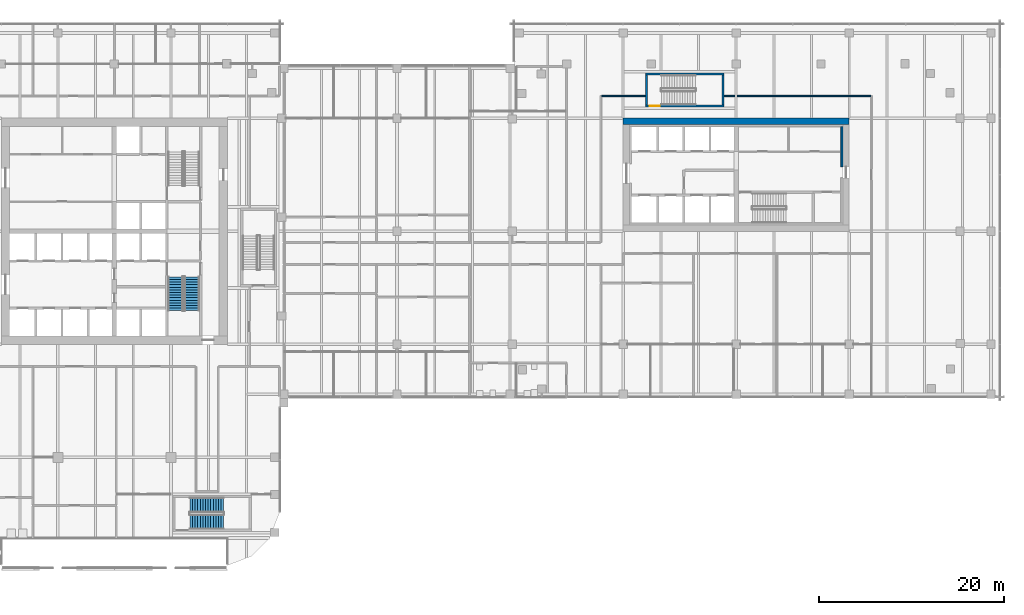
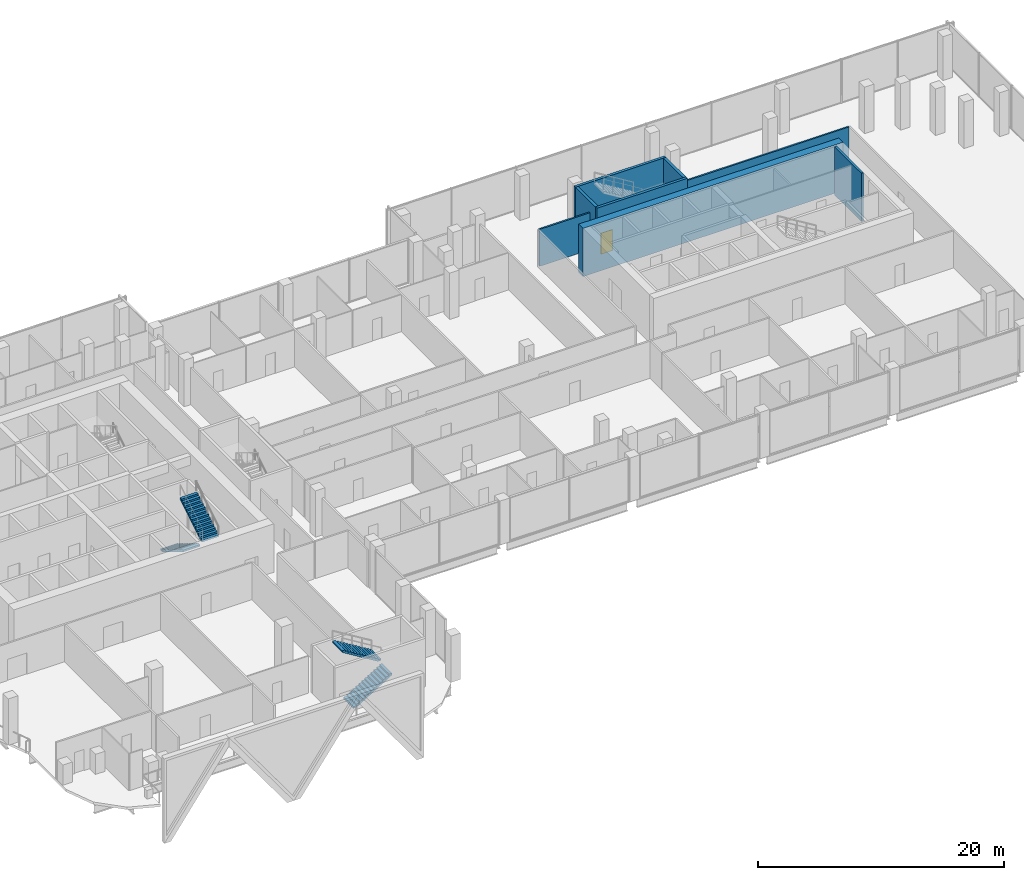
# One storey, part 29 of 33: 8 walls, 4 stair flights, 1 door, 1 opening, 2 elements without a shape of their own.
"""IFC4 building model written with IfcOpenShell, lengths in metres."""

from ifc_helpers import new_model, si_unit, direction, frame, frame_2d, origin, place, context, subcontext, project, spatial, polyline, rectangle, outline, extrude, source, transform, mapped, material, layer, layer_set, type_object, element, fill, aggregate, save


model = new_model("IFC4")

# Units and contexts
model_context = context("Model", 3, precision=1e-05, world=origin(), true_north=direction((0.0, 1.0)))
body_context = subcontext(model_context, "Body", "Model", "MODEL_VIEW")
ifc_project = project(units=[si_unit("LENGTHUNIT", "METRE"), si_unit("AREAUNIT", "SQUARE_METRE"), si_unit("VOLUMEUNIT", "CUBIC_METRE"), si_unit("PLANEANGLEUNIT", "RADIAN"), si_unit("MASSUNIT", "GRAM", prefix="KILO")], contexts=[model_context])

# Site, building, storey
site_placement = place(None, origin())
site = spatial("IfcSite", under=ifc_project, at=site_placement, CompositionType="ELEMENT")
building_placement = place(site_placement, origin())
building = spatial("IfcBuilding", under=site, at=building_placement, Name="Tessera Gate Towers", CompositionType="ELEMENT")
storey_placement = place(building_placement, frame((0.0, 0.0, 12.0)))
storey = spatial("IfcBuildingStorey", under=building, at=storey_placement, Name="L02", CompositionType="ELEMENT", Elevation=12.0)

# Wall, opening, door
ifc_material_1 = material(Name="Concrete C40/50", Category="concrete")
ifc_layer_1 = layer(ifc_material_1, 0.25)
ifc_layer_set_1 = layer_set([ifc_layer_1], Name="CORE ENCLOSURE WALL 250")
wall_type_1 = type_object("IfcWallType", Name="CORE ENCLOSURE WALL 250", PredefinedType="SOLIDWALL", material=ifc_layer_set_1)
wall_1_placement = place(storey_placement, frame((108.5, 50.125, 0.0), z_axis=(0.0, 0.0, 1.0), x_axis=(-1.0, 0.0, 0.0)))
wall_1 = element("IfcWall", 1, at=wall_1_placement, inside=storey, type_object=wall_type_1, Name="L02 ST7 enclosure wall", PredefinedType="SOLIDWALL", context=body_context, shape_type="SweptSolid", body=[
    extrude(rectangle(XDim=8.5, YDim=0.25, at=frame_2d((4.25, 0.0))), origin(), (0.0, 0.0, 1.0), 4.800048828125),
])
shared_shape_1 = source(origin(), body_context, "Body", "SweptSolid", [
    extrude(rectangle(XDim=1.10009765625, YDim=2.10009765625, at=frame_2d((0.550048828125, 1.050048828125))), frame((0.0, 0.135009765625, 0.0), z_axis=(0.0, -1.0, 0.0), x_axis=(1.0, 0.0, 0.0)), (0.0, 0.0, 1.0), 0.27001953125),
])
opening_placement = place(wall_1_placement, frame((6.949951171875, 0.0, 0.0)))
opening = element("IfcOpeningElement", 2, at=opening_placement, cuts=wall_1, Name="Opening SD-ST7-1", PredefinedType="OPENING", context=body_context, shape_type="MappedRepresentation", body=[
    mapped(shared_shape_1, transform((0.0, 0.0, 0.0), scale=1.0)),
])
ifc_material_2 = material(Name="Hollow steel fire door", Category="steel")
door_type = type_object("IfcDoorType", Name="CORE DOOR SD1100 1100x2100", OperationType="NOTDEFINED", PredefinedType="DOOR", material=ifc_material_2)
shared_shape_2 = source(origin(), body_context, "Body", "SweptSolid", [
    extrude(rectangle(XDim=1.10009765625, YDim=2.10009765625, at=frame_2d((0.550048828125, 1.050048828125))), frame((0.0, 0.02490234375, 0.0), z_axis=(0.0, -1.0, 0.0), x_axis=(1.0, 0.0, 0.0)), (0.0, 0.0, 1.0), 0.050048828125),
])
door_placement = place(opening_placement, origin())
door = element("IfcDoor", 3, at=door_placement, inside=storey, type_object=door_type, Name="Stair door", OperationType="SINGLE_SWING_RIGHT", OverallHeight=2.10009765625, OverallWidth=1.10009765625, PredefinedType="DOOR", context=body_context, shape_type="MappedRepresentation", body=[
    mapped(shared_shape_2, transform((0.0, 0.0, 0.0), scale=1.0)),
])
fill(opening, door)

# Walls
wall_2_placement = place(storey_placement, frame((100.125, 50.25, 0.0), z_axis=(0.0, 0.0, 1.0), x_axis=(0.0, 1.0, 0.0)))
element("IfcWall", 4, at=wall_2_placement, inside=storey, type_object=wall_type_1, Name="L02 ST7 enclosure wall", PredefinedType="SOLIDWALL", context=body_context, shape_type="SweptSolid", body=[
    extrude(rectangle(XDim=3.199951171875, YDim=0.25, at=frame_2d((1.60009765625, 0.0))), origin(), (0.0, 0.0, 1.0), 4.800048828125),
])
wall_3_placement = place(storey_placement, frame((100.0, 53.574951171875, 0.0), z_axis=(0.0, 0.0, 1.0), x_axis=(1.0, 0.0, 0.0)))
element("IfcWall", 5, at=wall_3_placement, inside=storey, type_object=wall_type_1, Name="L02 ST7 enclosure wall", PredefinedType="SOLIDWALL", context=body_context, shape_type="SweptSolid", body=[
    extrude(rectangle(XDim=8.5, YDim=0.25, at=frame_2d((4.25, 0.0))), origin(), (0.0, 0.0, 1.0), 4.800048828125),
])
wall_4_placement = place(storey_placement, frame((108.375, 53.449951171875, 0.0), z_axis=(0.0, 0.0, 1.0), x_axis=(0.0, -1.0, 0.0)))
element("IfcWall", 6, at=wall_4_placement, inside=storey, type_object=wall_type_1, Name="L02 ST7 enclosure wall", PredefinedType="SOLIDWALL", context=body_context, shape_type="SweptSolid", body=[
    extrude(rectangle(XDim=3.199951171875, YDim=0.25, at=frame_2d((1.60009765625, 0.0))), origin(), (0.0, 0.0, 1.0), 4.800048828125),
])
ifc_material_3 = material(Name="Concrete C60/75", Category="concrete")
ifc_layer_2 = layer(ifc_material_3, 0.699951171875)
ifc_layer_set_2 = layer_set([ifc_layer_2], Name="CORE SHEAR WALL 700 C60/75")
wall_type_2 = type_object("IfcWallType", Name="CORE SHEAR WALL 700 C60/75", PredefinedType="SHEAR", material=ifc_layer_set_2)
wall_5_placement = place(storey_placement, frame((97.60009765625, 48.449951171875, 0.0), z_axis=(0.0, 0.0, 1.0), x_axis=(1.0, 0.0, 0.0)))
element("IfcWall", 7, at=wall_5_placement, inside=storey, type_object=wall_type_2, Name="Core wall N L02", PredefinedType="SHEAR", context=body_context, shape_type="SweptSolid", body=[
    extrude(rectangle(XDim=24.39990234375, YDim=0.699951171875, at=frame_2d((12.199951171875, 0.0))), origin(), (0.0, 0.0, 1.0), 4.800048828125),
])
ifc_material_4 = material(Name="Concrete C60/75", Category="concrete")
ifc_layer_3 = layer(ifc_material_4, 0.199951171875)
ifc_layer_set_3 = layer_set([ifc_layer_3], Name="CORE WALL THICKENING 200")
wall_type_3 = type_object("IfcWallType", Name="CORE WALL THICKENING 200", PredefinedType="SOLIDWALL", material=ifc_layer_set_3)
wall_6_placement = place(storey_placement, frame((121.199951171875, 43.550048828125, 0.0), z_axis=(0.0, 0.0, 1.0), x_axis=(0.0, 1.0, 0.0)))
element("IfcWall", 8, at=wall_6_placement, inside=storey, type_object=wall_type_3, Name="Core wall thickening E L02", PredefinedType="SOLIDWALL", context=body_context, shape_type="SweptSolid", body=[
    extrude(rectangle(XDim=4.349853515625, YDim=0.199951171875, at=frame_2d((2.1748046875, 0.0))), origin(), (0.0, 0.0, 1.0), 4.800048828125),
])
ifc_material_5 = material(Name="Gypsum board on steel studs, mineral wool", Category="steel")
ifc_layer_4 = layer(ifc_material_5, 0.14990234375)
ifc_layer_set_4 = layer_set([ifc_layer_4], Name="CORRIDOR WALL 150")
wall_type_4 = type_object("IfcWallType", Name="CORRIDOR WALL 150", PredefinedType="PARTITIONING", material=ifc_layer_set_4)
wall_7_placement = place(storey_placement, frame((95.27587890625, 51.199951171875, 0.0), z_axis=(0.0, 0.0, 1.0), x_axis=(1.0, 0.0, 0.0)))
element("IfcWall", 9, at=wall_7_placement, inside=storey, type_object=wall_type_4, Name="PODIUM-L02-PW-110", PredefinedType="PARTITIONING", context=body_context, shape_type="SweptSolid", body=[
    extrude(rectangle(XDim=4.72412109375, YDim=0.14990234375, at=frame_2d((2.362060546875, 0.0))), origin(), (0.0, 0.0, 1.0), 3.672119140625),
])
wall_8_placement = place(storey_placement, frame((108.5, 51.199951171875, 0.0), z_axis=(0.0, 0.0, 1.0), x_axis=(1.0, 0.0, 0.0)))
element("IfcWall", 10, at=wall_8_placement, inside=storey, type_object=wall_type_4, Name="PODIUM-L02-PW-111", PredefinedType="PARTITIONING", context=body_context, shape_type="SweptSolid", body=[
    extrude(rectangle(XDim=15.823974609375, YDim=0.14990234375, at=frame_2d((7.912109375, 0.0))), origin(), (0.0, 0.0, 1.0), 3.672119140625),
])

# Stair, stair flights
ifc_material_6 = material(Name="Concrete C40/50", Category="concrete")
stair_type_1 = type_object("IfcStairType", Name="EXIT STAIR ST1A 1600", PredefinedType="HALF_TURN_STAIR", material=ifc_material_6)
stair_1_placement = place(storey_placement, origin())
stair_1 = element("IfcStair", 11, at=stair_1_placement, inside=storey, type_object=stair_type_1, Name="L02 Protected Exit Stair ST1", PredefinedType="HALF_TURN_STAIR")
ifc_material_7 = material(Name="Concrete C40/50", Category="concrete")
stair_flight_type_1 = type_object("IfcStairFlightType", Name="EXIT STAIR FLIGHT ST1A 1600", PredefinedType="STRAIGHT", material=ifc_material_7)
stair_flight_1_placement = place(storey_placement, frame((49.27490234375, 31.675048828125, 0.0), z_axis=(0.0, 0.0, 1.0), x_axis=(0.0, -1.0, 0.0)))
stair_flight_1 = element("IfcStairFlight", 12, at=stair_flight_1_placement, type_object=stair_flight_type_1, Name="ST1 flight 1", NumberOfRisers=14, NumberOfTreads=13, PredefinedType="STRAIGHT", RiserHeight=0.171428571, TreadLength=0.28, context=body_context, shape_type="SweptSolid", body=[
    extrude(outline(polyline([(0.0, 0.0), (0.0, 0.17138671875), (0.280029296875, 0.17138671875), (0.280029296875, 0.3427734375), (0.56005859375, 0.3427734375), (0.56005859375, 0.514404296875), (0.840087890625, 0.514404296875), (0.840087890625, 0.685791015625), (1.1201171875, 0.685791015625), (1.1201171875, 0.857177734375), (1.39990234375, 0.857177734375), (1.39990234375, 1.028564453125), (1.679931640625, 1.028564453125), (1.679931640625, 1.199951171875), (1.9599609375, 1.199951171875), (1.9599609375, 1.371337890625), (2.239990234375, 1.371337890625), (2.239990234375, 1.54296875), (2.52001953125, 1.54296875), (2.52001953125, 1.71435546875), (2.800048828125, 1.71435546875), (2.800048828125, 1.8857421875), (3.080078125, 1.8857421875), (3.080078125, 2.05712890625), (3.360107421875, 2.05712890625), (3.360107421875, 2.228515625), (3.639892578125, 2.228515625), (3.639892578125, 2.39990234375), (3.639892578125, 2.052734375), (0.287109375, 0.0), (0.0, 0.0)])), frame((0.0, 0.800048828125, 0.0), z_axis=(0.0, -1.0, 0.0), x_axis=(1.0, 0.0, 0.0)), (0.0, 0.0, 1.0), 1.60009765625),
])
stair_flight_2_placement = place(storey_placement, frame((51.074951171875, 28.034912109375, 2.39990234375), z_axis=(0.0, 0.0, 1.0), x_axis=(0.0, 1.0, 0.0)))
stair_flight_2 = element("IfcStairFlight", 13, at=stair_flight_2_placement, type_object=stair_flight_type_1, Name="ST1 flight 2", NumberOfRisers=14, NumberOfTreads=13, PredefinedType="STRAIGHT", RiserHeight=0.171428571, TreadLength=0.28, context=body_context, shape_type="SweptSolid", body=[
    extrude(outline(polyline([(0.0, 0.0), (0.0, 0.17138671875), (0.280029296875, 0.17138671875), (0.280029296875, 0.3427734375), (0.56005859375, 0.3427734375), (0.56005859375, 0.514404296875), (0.840087890625, 0.514404296875), (0.840087890625, 0.685791015625), (1.1201171875, 0.685791015625), (1.1201171875, 0.857177734375), (1.39990234375, 0.857177734375), (1.39990234375, 1.028564453125), (1.679931640625, 1.028564453125), (1.679931640625, 1.199951171875), (1.9599609375, 1.199951171875), (1.9599609375, 1.371337890625), (2.239990234375, 1.371337890625), (2.239990234375, 1.54296875), (2.52001953125, 1.54296875), (2.52001953125, 1.71435546875), (2.800048828125, 1.71435546875), (2.800048828125, 1.8857421875), (3.080078125, 1.8857421875), (3.080078125, 2.05712890625), (3.360107421875, 2.05712890625), (3.360107421875, 2.228515625), (3.639892578125, 2.228515625), (3.639892578125, 2.39990234375), (3.639892578125, 2.052734375), (0.287109375, 0.0), (0.0, 0.0)])), frame((0.0, 0.800048828125, 0.0), z_axis=(0.0, -1.0, 0.0), x_axis=(1.0, 0.0, 0.0)), (0.0, 0.0, 1.0), 1.60009765625),
])
aggregate(stair_1, [stair_flight_1, stair_flight_2])

ifc_material_8 = material(Name="Concrete C40/50", Category="concrete")
stair_type_2 = type_object("IfcStairType", Name="EXIT STAIR ST4A 1600", PredefinedType="HALF_TURN_STAIR", material=ifc_material_8)
stair_2_placement = place(storey_placement, origin())
stair_2 = element("IfcStair", 14, at=stair_2_placement, inside=storey, type_object=stair_type_2, Name="L02 South Exit Stair ST4", PredefinedType="HALF_TURN_STAIR")
ifc_material_9 = material(Name="Concrete C40/50", Category="concrete")
stair_flight_type_2 = type_object("IfcStairFlightType", Name="EXIT STAIR FLIGHT ST4A 1600", PredefinedType="STRAIGHT", material=ifc_material_9)
stair_flight_3_placement = place(storey_placement, frame((50.85009765625, 5.25, 0.0), z_axis=(0.0, 0.0, 1.0), x_axis=(1.0, 0.0, 0.0)))
stair_flight_3 = element("IfcStairFlight", 15, at=stair_flight_3_placement, type_object=stair_flight_type_2, Name="ST4 flight 1", NumberOfRisers=14, NumberOfTreads=13, PredefinedType="STRAIGHT", RiserHeight=0.171428571, TreadLength=0.28, context=body_context, shape_type="SweptSolid", body=[
    extrude(outline(polyline([(0.0, 0.0), (0.0, 0.17138671875), (0.280029296875, 0.17138671875), (0.280029296875, 0.3427734375), (0.56005859375, 0.3427734375), (0.56005859375, 0.514404296875), (0.840087890625, 0.514404296875), (0.840087890625, 0.685791015625), (1.1201171875, 0.685791015625), (1.1201171875, 0.857177734375), (1.39990234375, 0.857177734375), (1.39990234375, 1.028564453125), (1.679931640625, 1.028564453125), (1.679931640625, 1.199951171875), (1.9599609375, 1.199951171875), (1.9599609375, 1.371337890625), (2.239990234375, 1.371337890625), (2.239990234375, 1.54296875), (2.52001953125, 1.54296875), (2.52001953125, 1.71435546875), (2.800048828125, 1.71435546875), (2.800048828125, 1.8857421875), (3.080078125, 1.8857421875), (3.080078125, 2.05712890625), (3.360107421875, 2.05712890625), (3.360107421875, 2.228515625), (3.639892578125, 2.228515625), (3.639892578125, 2.39990234375), (3.639892578125, 2.052734375), (0.287109375, 0.0), (0.0, 0.0)])), frame((0.0, 0.800048828125, 0.0), z_axis=(0.0, -1.0, 0.0), x_axis=(1.0, 0.0, 0.0)), (0.0, 0.0, 1.0), 1.60009765625),
])
stair_flight_4_placement = place(storey_placement, frame((54.489990234375, 7.050048828125, 2.39990234375), z_axis=(0.0, 0.0, 1.0), x_axis=(-1.0, 0.0, 0.0)))
stair_flight_4 = element("IfcStairFlight", 16, at=stair_flight_4_placement, type_object=stair_flight_type_2, Name="ST4 flight 2", NumberOfRisers=14, NumberOfTreads=13, PredefinedType="STRAIGHT", RiserHeight=0.171428571, TreadLength=0.28, context=body_context, shape_type="SweptSolid", body=[
    extrude(outline(polyline([(0.0, 0.0), (0.0, 0.17138671875), (0.280029296875, 0.17138671875), (0.280029296875, 0.3427734375), (0.56005859375, 0.3427734375), (0.56005859375, 0.514404296875), (0.840087890625, 0.514404296875), (0.840087890625, 0.685791015625), (1.1201171875, 0.685791015625), (1.1201171875, 0.857177734375), (1.39990234375, 0.857177734375), (1.39990234375, 1.028564453125), (1.679931640625, 1.028564453125), (1.679931640625, 1.199951171875), (1.9599609375, 1.199951171875), (1.9599609375, 1.371337890625), (2.239990234375, 1.371337890625), (2.239990234375, 1.54296875), (2.52001953125, 1.54296875), (2.52001953125, 1.71435546875), (2.800048828125, 1.71435546875), (2.800048828125, 1.8857421875), (3.080078125, 1.8857421875), (3.080078125, 2.05712890625), (3.360107421875, 2.05712890625), (3.360107421875, 2.228515625), (3.639892578125, 2.228515625), (3.639892578125, 2.39990234375), (3.639892578125, 2.052734375), (0.287109375, 0.0), (0.0, 0.0)])), frame((0.0, 0.800048828125, 0.0), z_axis=(0.0, -1.0, 0.0), x_axis=(1.0, 0.0, 0.0)), (0.0, 0.0, 1.0), 1.60009765625),
])
aggregate(stair_2, [stair_flight_3, stair_flight_4])

save(model, "model.ifc")
